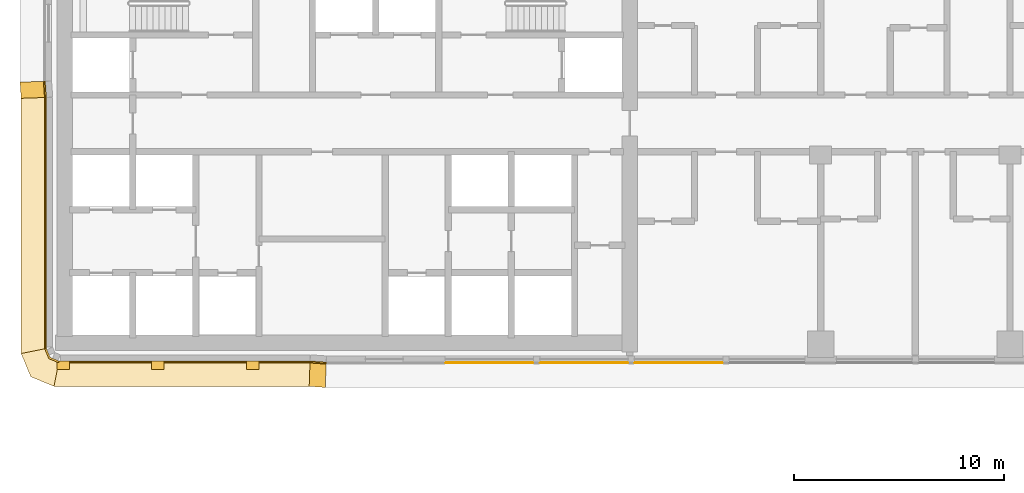
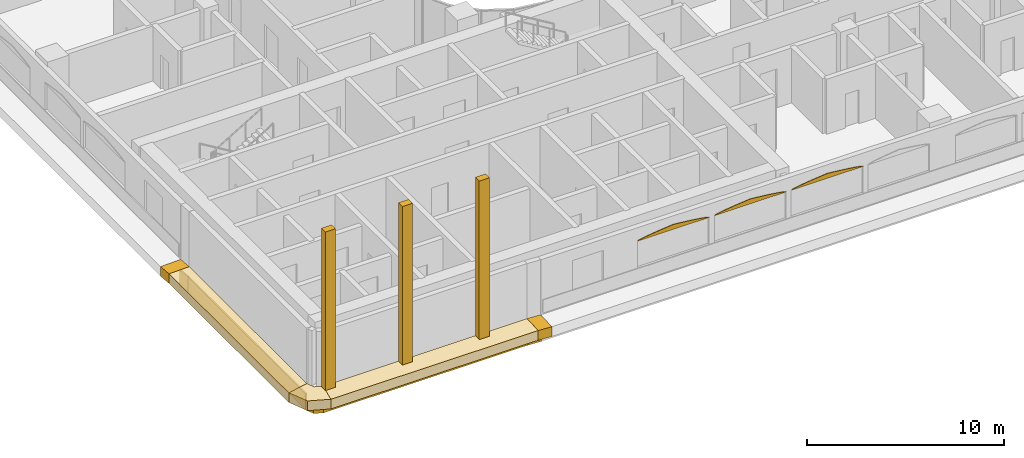
# One storey, part 32 of 40: 16 coverings.
"""IFC4 building model written with IfcOpenShell, lengths in metres."""

from ifc_helpers import new_model, si_unit, direction, frame, origin, origin_2d, place, context, subcontext, project, spatial, polyline, rectangle, outline, extrude, material, layer, layer_set, type_object, element, save


model = new_model("IFC4")

# Units and contexts
model_context = context("Model", 3, precision=1e-05, world=origin(), true_north=direction((0.0, 1.0)))
body_context = subcontext(model_context, "Body", "Model", "MODEL_VIEW")
ifc_project = project(units=[si_unit("LENGTHUNIT", "METRE"), si_unit("AREAUNIT", "SQUARE_METRE"), si_unit("VOLUMEUNIT", "CUBIC_METRE"), si_unit("PLANEANGLEUNIT", "RADIAN"), si_unit("MASSUNIT", "GRAM", prefix="KILO")], contexts=[model_context])

# Site, building, storey
site_placement = place(None, origin())
site = spatial("IfcSite", under=ifc_project, at=site_placement, CompositionType="ELEMENT")
building_placement = place(site_placement, origin())
building = spatial("IfcBuilding", under=site, at=building_placement, Name="Ogive Portal Towers", CompositionType="ELEMENT")
storey_placement = place(building_placement, frame((0.0, 0.0, 87.10009765625)))
storey = spatial("IfcBuildingStorey", under=building, at=storey_placement, Name="L20", CompositionType="ELEMENT", Elevation=87.10009765625)

# Coverings
ifc_material = material(Name="Limestone cladding on lightweight block wall", Category="masonry")
ifc_layer_1 = layer(ifc_material, 0.0400390625)
ifc_layer_set_1 = layer_set([ifc_layer_1], Name="LANCET HEAD STONE")
covering_type_1 = type_object("IfcCoveringType", Name="LANCET HEAD STONE", PredefinedType="CLADDING", material=ifc_layer_set_1)
for number, where, z_axis, x_axis, name in (
    (1, (49.64990234375, 20.64501953125, 2.599853515625), (0.0, 0.999948962386, 0.010103099685), (1.0, 0.0, 0.0), "Lancet head"),
    (2, (54.14990234375, 20.64501953125, 2.599853515625), (0.0, 0.999948962386, 0.010103099685), (1.0, 0.0, 0.0), "Lancet head"),
    (3, (58.64990234375, 20.64501953125, 2.599853515625), (0.0, 0.999948962386, 0.010103099685), (1.0, 0.0, 0.0), "Lancet head"),
):
    element("IfcCovering", number, at=place(storey_placement, frame(where, z_axis=z_axis, x_axis=x_axis)), inside=storey, type_object=covering_type_1, Name=name, PredefinedType="CLADDING", context=body_context, shape_type="SweptSolid", body=[
        extrude(outline(polyline([(0.0, 0.0), (4.2001953125, 0.0), (4.107177734375, -0.03760067050947447), (3.9375, -0.07495474627723249), (3.7177734375, -0.11255541678670695), (3.45751953125, -0.15015362071910998), (3.162353515625, -0.18751016306393944), (2.836181640625, -0.22510836699634246), (2.481201171875, -0.2624649093411719), (2.10009765625, -0.30006311327357493), (1.718994140625, -0.2624649093411719), (1.364013671875, -0.22510836699634246), (1.037841796875, -0.18751016306393944), (0.74267578125, -0.15015362071910998), (0.482421875, -0.11255541678670695), (0.2626953125, -0.07495474627723249), (0.093017578125, -0.03760067050947447), (0.0, 0.0)])), origin(), (0.0, 0.0, -1.0), 0.0400390625),
    ])
ifc_layer_2 = layer(ifc_material, 0.39990234375)
ifc_layer_set_2 = layer_set([ifc_layer_2], Name="SPINE PIER STONE")
covering_type_2 = type_object("IfcCoveringType", Name="SPINE PIER STONE", PredefinedType="CLADDING", material=ifc_layer_set_2)
for number, where, z_axis, x_axis, name in (
    (4, (31.5, 20.5, 0.0), (0.0, 0.0, 1.0), (1.0, 0.0, 0.0), "SPINE PIER"),
    (5, (36.0, 20.5, 0.0), (0.0, 0.0, 1.0), (1.0, 0.0, 0.0), "SPINE PIER"),
    (6, (40.5, 20.5, 0.0), (0.0, 0.0, 1.0), (1.0, 0.0, 0.0), "SPINE PIER"),
):
    element("IfcCovering", number, at=place(storey_placement, frame(where, z_axis=z_axis, x_axis=x_axis)), inside=storey, type_object=covering_type_2, Name=name, PredefinedType="CLADDING", context=body_context, shape_type="SweptSolid", body=[
        extrude(rectangle(XDim=0.60009765625, YDim=0.39990234375, at=origin_2d()), origin(), (0.0, 0.0, 1.0), 9.800048828125),
    ])
ifc_layer_3 = layer(ifc_material, 0.080078125)
ifc_layer_set_3 = layer_set([ifc_layer_3], Name="STONE SPANDREL 80")
covering_type_3 = type_object("IfcCoveringType", Name="STONE SPANDREL 80", PredefinedType="CLADDING", material=ifc_layer_set_3)
covering_1_placement = place(storey_placement, frame((0.0, 0.0, -1.60009765625)))
element("IfcCovering", 7, at=covering_1_placement, inside=storey, type_object=covering_type_3, Name="Stone spandrel A1-F01", PredefinedType="CLADDING", context=body_context, shape_type="SweptSolid", body=[
    extrude(outline(polyline([(30.699951171875, 33.23095703125), (30.699951171875, 21.300048828125), (30.6201171875, 21.2841796875), (30.6201171875, 33.22802734375), (30.699951171875, 33.23095703125)])), origin(), (0.0, 0.0, 1.0), 1.0),
])
covering_2_placement = place(storey_placement, frame((0.0, 0.0, -1.60009765625)))
element("IfcCovering", 8, at=covering_2_placement, inside=storey, type_object=covering_type_3, Name="Stone spandrel A1-F02", PredefinedType="CLADDING", context=body_context, shape_type="SweptSolid", body=[
    extrude(outline(polyline([(30.699951171875, 21.300048828125), (30.875732421875, 20.875732421875), (31.300048828125, 20.699951171875), (31.2841796875, 20.6201171875), (30.814453125, 20.814453125), (30.6201171875, 21.2841796875), (30.699951171875, 21.300048828125)])), origin(), (0.0, 0.0, 1.0), 1.0),
])
covering_3_placement = place(storey_placement, frame((0.0, 0.0, -1.60009765625)))
element("IfcCovering", 9, at=covering_3_placement, inside=storey, type_object=covering_type_3, Name="Stone spandrel A1-F03", PredefinedType="CLADDING", context=body_context, shape_type="SweptSolid", body=[
    extrude(outline(polyline([(31.300048828125, 20.699951171875), (43.23095703125, 20.699951171875), (43.22802734375, 20.6201171875), (31.2841796875, 20.6201171875), (31.300048828125, 20.699951171875)])), origin(), (0.0, 0.0, 1.0), 1.0),
])
covering_4_placement = place(storey_placement, frame((0.0, 0.0, -1.60009765625)))
element("IfcCovering", 10, at=covering_4_placement, inside=storey, type_object=covering_type_3, Name="Stone spandrel A1-F04", PredefinedType="CLADDING", context=body_context, shape_type="SweptSolid", body=[
    extrude(outline(polyline([(43.23095703125, 20.699951171875), (44.0, 20.64501953125), (43.9970703125, 20.56494140625), (43.22802734375, 20.6201171875), (43.23095703125, 20.699951171875)])), origin(), (0.0, 0.0, 1.0), 1.0),
])
covering_5_placement = place(storey_placement, frame((0.0, 0.0, -1.60009765625)))
element("IfcCovering", 11, at=covering_5_placement, inside=storey, type_object=covering_type_3, Name="Stone spandrel A1-F14", PredefinedType="CLADDING", context=body_context, shape_type="SweptSolid", body=[
    extrude(outline(polyline([(30.64501953125, 34.0), (30.699951171875, 33.23095703125), (30.6201171875, 33.22802734375), (30.56494140625, 33.9970703125), (30.64501953125, 34.0)])), origin(), (0.0, 0.0, 1.0), 1.0),
])
ifc_layer_4 = layer(ifc_material, 0.60009765625)
ifc_layer_set_4 = layer_set([ifc_layer_4], Name="SUNSHADE LIP 600")
covering_type_4 = type_object("IfcCoveringType", Name="SUNSHADE LIP 600", PredefinedType="CLADDING", material=ifc_layer_set_4)
covering_6_placement = place(storey_placement, frame((0.0, 0.0, -0.60009765625)))
element("IfcCovering", 12, at=covering_6_placement, inside=storey, type_object=covering_type_4, Name="Sunshade lip A1-F01", PredefinedType="CLADDING", context=body_context, shape_type="SweptSolid", body=[
    extrude(outline(polyline([(30.699951171875, 33.23095703125), (30.699951171875, 21.300048828125), (29.5, 21.061279296875), (29.5, 33.188232421875), (30.699951171875, 33.23095703125)])), origin(), (0.0, 0.0, 1.0), 0.60009765625),
])
covering_7_placement = place(storey_placement, frame((0.0, 0.0, -0.60009765625)))
element("IfcCovering", 13, at=covering_7_placement, inside=storey, type_object=covering_type_4, Name="Sunshade lip A1-F02", PredefinedType="CLADDING", context=body_context, shape_type="SweptSolid", body=[
    extrude(outline(polyline([(30.699951171875, 21.300048828125), (30.875732421875, 20.875732421875), (31.300048828125, 20.699951171875), (31.061279296875, 19.5), (29.957275390625, 19.957275390625), (29.5, 21.061279296875), (30.699951171875, 21.300048828125)])), origin(), (0.0, 0.0, 1.0), 0.60009765625),
])
covering_8_placement = place(storey_placement, frame((0.0, 0.0, -0.60009765625)))
element("IfcCovering", 14, at=covering_8_placement, inside=storey, type_object=covering_type_4, Name="Sunshade lip A1-F03", PredefinedType="CLADDING", context=body_context, shape_type="SweptSolid", body=[
    extrude(outline(polyline([(31.300048828125, 20.699951171875), (43.23095703125, 20.699951171875), (43.188232421875, 19.5), (31.061279296875, 19.5), (31.300048828125, 20.699951171875)])), origin(), (0.0, 0.0, 1.0), 0.60009765625),
])
covering_9_placement = place(storey_placement, frame((0.0, 0.0, -0.60009765625)))
element("IfcCovering", 15, at=covering_9_placement, inside=storey, type_object=covering_type_4, Name="Sunshade lip A1-F04", PredefinedType="CLADDING", context=body_context, shape_type="SweptSolid", body=[
    extrude(outline(polyline([(43.23095703125, 20.699951171875), (44.0, 20.64501953125), (43.95703125, 19.445068359375), (43.188232421875, 19.5), (43.23095703125, 20.699951171875)])), origin(), (0.0, 0.0, 1.0), 0.60009765625),
])
covering_10_placement = place(storey_placement, frame((0.0, 0.0, -0.60009765625)))
element("IfcCovering", 16, at=covering_10_placement, inside=storey, type_object=covering_type_4, Name="Sunshade lip A1-F14", PredefinedType="CLADDING", context=body_context, shape_type="SweptSolid", body=[
    extrude(outline(polyline([(30.64501953125, 34.0), (30.699951171875, 33.23095703125), (29.5, 33.188232421875), (29.445068359375, 33.95703125), (30.64501953125, 34.0)])), origin(), (0.0, 0.0, 1.0), 0.60009765625),
])

save(model, "model.ifc")
